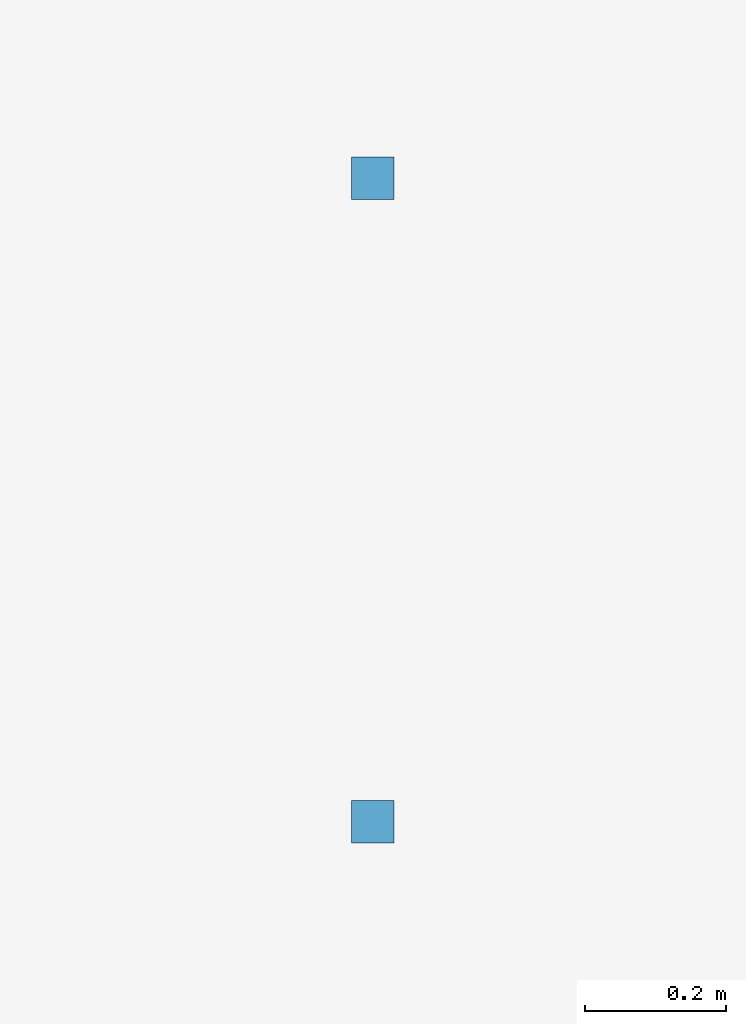
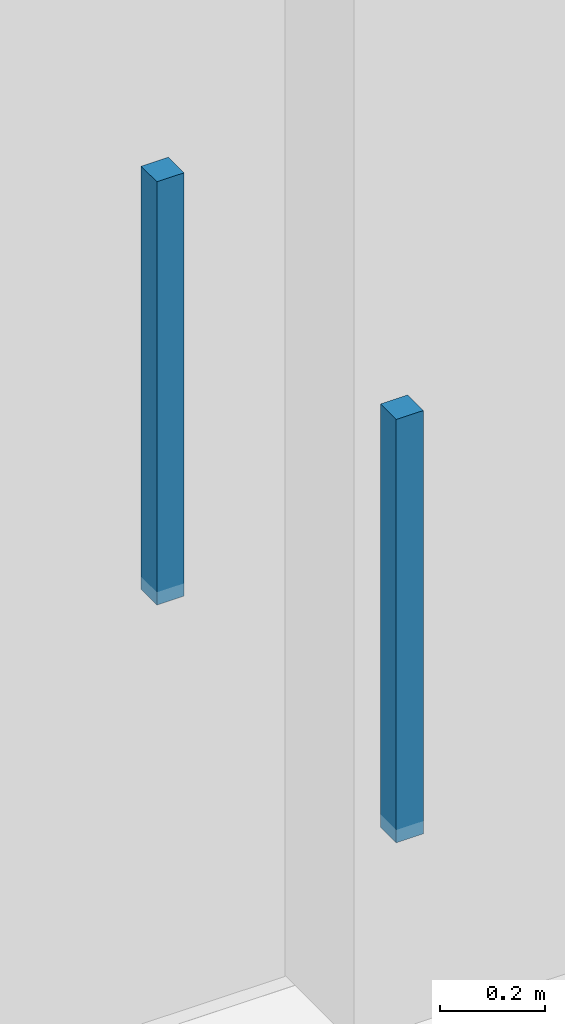
# One storey, part 18 of 34: 2 discrete accessories.
"""IFC4 building model written with IfcOpenShell, lengths in metres."""

from ifc_helpers import new_model, si_unit, direction, frame, origin, origin_2d, place, context, subcontext, project, spatial, rectangle, extrude, material, type_object, element, save


model = new_model("IFC4")

# Units and contexts
model_context = context("Model", 3, precision=1e-05, world=origin(), true_north=direction((0.0, 1.0)))
body_context = subcontext(model_context, "Body", "Model", "MODEL_VIEW")
ifc_project = project(units=[si_unit("LENGTHUNIT", "METRE"), si_unit("AREAUNIT", "SQUARE_METRE"), si_unit("VOLUMEUNIT", "CUBIC_METRE"), si_unit("PLANEANGLEUNIT", "RADIAN"), si_unit("MASSUNIT", "GRAM", prefix="KILO")], contexts=[model_context])

# Site, building, storey
site_placement = place(None, origin())
site = spatial("IfcSite", under=ifc_project, at=site_placement, CompositionType="ELEMENT")
building_placement = place(site_placement, origin())
building = spatial("IfcBuilding", under=site, at=building_placement, Name="Telukmera Botanical Conservatory", CompositionType="ELEMENT")
storey_placement = place(building_placement, frame((0.0, 0.0, 37.5)))
storey = spatial("IfcBuildingStorey", under=building, at=storey_placement, Name="L08", CompositionType="ELEMENT", Elevation=37.5)

# Discrete accessories
ifc_material = material(Name="Steel S355", Category="steel")
discrete_accessory_type = type_object("IfcDiscreteAccessoryType", Name="ACC-CEIL-HGR", PredefinedType="BRACKET", material=ifc_material)
for number, where, z_axis, x_axis, name in (
    (1, (81.6630859375, 38.862548828125, 3.31982421875), (0.0, 0.0, 1.0), (1.0, 0.0, 0.0), "L08 Suspended Ceiling Hanger Rod 035-1"),
    (2, (81.6630859375, 39.77490234375, 3.31982421875), (0.0, 0.0, 1.0), (1.0, 0.0, 0.0), "L08 Suspended Ceiling Hanger Rod 035-2"),
):
    element("IfcDiscreteAccessory", number, at=place(storey_placement, frame(where, z_axis=z_axis, x_axis=x_axis)), inside=storey, type_object=discrete_accessory_type, Name=name, PredefinedType="BRACKET", context=body_context, shape_type="SweptSolid", body=[
        extrude(rectangle(XDim=0.06005859375, YDim=0.06005859375, at=origin_2d()), origin(), (0.0, 0.0, 1.0), 0.985107421875),
    ])

save(model, "model.ifc")
